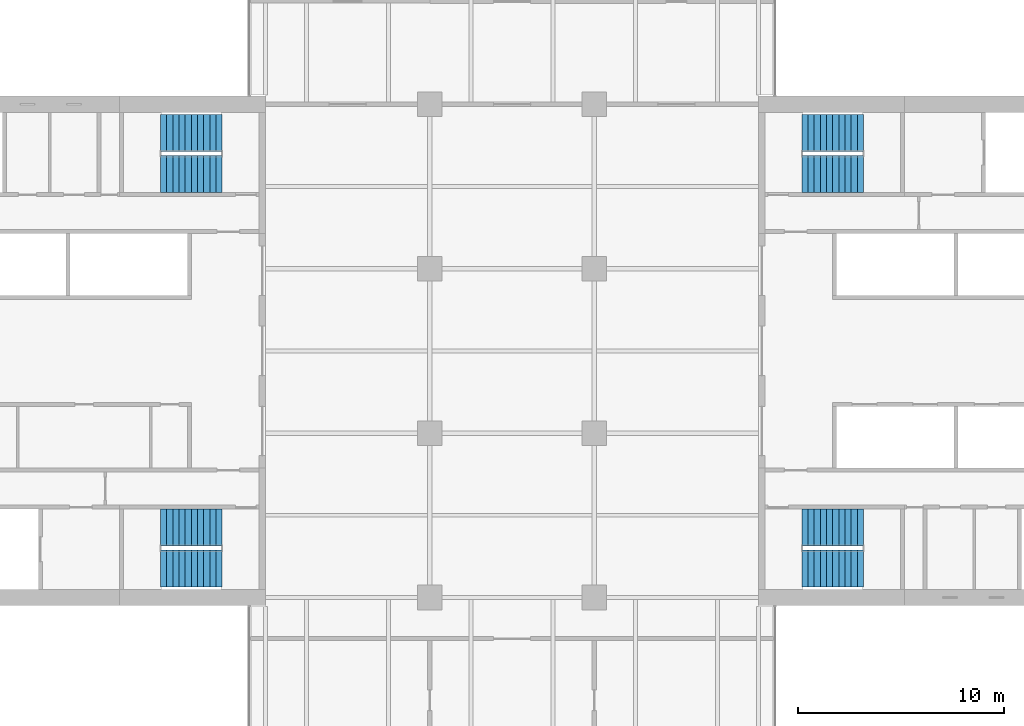
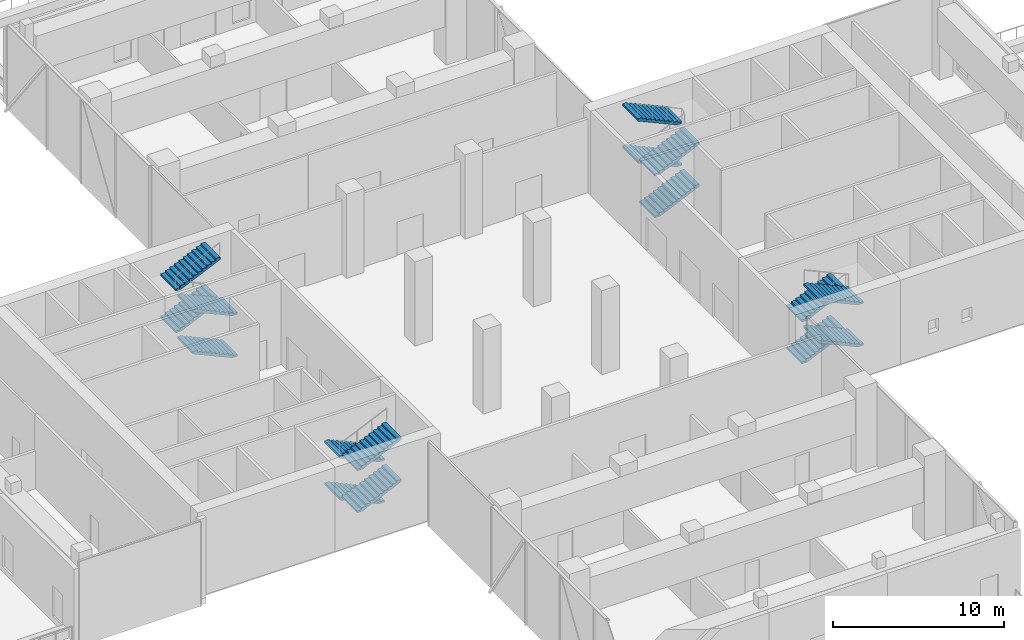
# One storey, part 19 of 23: 16 stair flights, 4 elements without a shape of their own.
"""IFC4 building model written with IfcOpenShell, lengths in metres."""

from ifc_helpers import new_model, si_unit, direction, frame, origin, place, context, subcontext, project, spatial, polyline, outline, extrude, material, type_object, element, aggregate, save


model = new_model("IFC4")

# Units and contexts
model_context = context("Model", 3, precision=1e-05, world=origin(), true_north=direction((0.0, 1.0)))
body_context = subcontext(model_context, "Body", "Model", "MODEL_VIEW")
ifc_project = project(units=[si_unit("LENGTHUNIT", "METRE"), si_unit("AREAUNIT", "SQUARE_METRE"), si_unit("VOLUMEUNIT", "CUBIC_METRE"), si_unit("PLANEANGLEUNIT", "RADIAN"), si_unit("MASSUNIT", "GRAM", prefix="KILO")], contexts=[model_context])

# Site, building, storey
site_placement = place(None, origin())
site = spatial("IfcSite", under=ifc_project, at=site_placement, CompositionType="ELEMENT")
building_placement = place(site_placement, origin())
building = spatial("IfcBuilding", under=site, at=building_placement, Name="Crosswind Convention Tower", CompositionType="ELEMENT")
storey_placement = place(building_placement, frame((0.0, 0.0, 47.5)))
storey = spatial("IfcBuildingStorey", under=building, at=storey_placement, Name="L06", CompositionType="ELEMENT", Elevation=47.5)

# Stair, stair flights
ifc_material = material(Name="Concrete C40/50", Category="concrete")
stair_type = type_object("IfcStairType", Name="Exit stair 1800 wide, 4 flights of 11 risers", PredefinedType="HALF_TURN_STAIR", material=ifc_material)
stair_1_placement = place(storey_placement, origin())
stair_1 = element("IfcStair", 1, at=stair_1_placement, inside=storey, type_object=stair_type, Name="Exit stair ST1 L06", ObjectType="ST6", PredefinedType="HALF_TURN_STAIR")
stair_flight_type = type_object("IfcStairFlightType", Name="Stair flight 1800 wide, 11 risers (SF1)", PredefinedType="STRAIGHT", material=ifc_material)
stair_flight_1_placement = place(storey_placement, frame((139.10009765625, 108.60009765625, 0.0), z_axis=(0.0, 0.0, 1.0), x_axis=(1.0, 0.0, 0.0)))
stair_flight_1 = element("IfcStairFlight", 2, at=stair_flight_1_placement, type_object=stair_flight_type, Name="ST1 flight 1", NumberOfRisers=11, NumberOfTreads=10, PredefinedType="STRAIGHT", RiserHeight=0.136363636, TreadLength=0.3, context=body_context, shape_type="SweptSolid", body=[
    extrude(outline(polyline([(0.0, 0.0), (0.0, 0.136474609375), (0.300048828125, 0.136474609375), (0.300048828125, 0.272705078125), (0.60009765625, 0.272705078125), (0.60009765625, 0.4091796875), (0.89990234375, 0.4091796875), (0.89990234375, 0.54541015625), (1.199951171875, 0.54541015625), (1.199951171875, 0.681884765625), (1.5, 0.681884765625), (1.5, 0.818115234375), (1.800048828125, 0.818115234375), (1.800048828125, 0.95458984375), (2.10009765625, 0.95458984375), (2.10009765625, 1.0908203125), (2.39990234375, 1.0908203125), (2.39990234375, 1.227294921875), (2.699951171875, 1.227294921875), (2.699951171875, 1.363525390625), (3.0, 1.363525390625), (3.0, 1.5), (3.0, 1.198974609375), (0.3623046875, 0.0), (0.0, 0.0)])), frame((0.0, 0.89990234375, 0.0), z_axis=(0.0, -1.0, 0.0), x_axis=(1.0, 0.0, 0.0)), (0.0, 0.0, 1.0), 1.800048828125),
])
stair_flight_2_placement = place(storey_placement, frame((142.10009765625, 110.60009765625, 1.5), z_axis=(0.0, 0.0, 1.0), x_axis=(-1.0, 0.0, 0.0)))
stair_flight_2 = element("IfcStairFlight", 3, at=stair_flight_2_placement, type_object=stair_flight_type, Name="ST1 flight 2", NumberOfRisers=11, NumberOfTreads=10, PredefinedType="STRAIGHT", RiserHeight=0.136363636, TreadLength=0.3, context=body_context, shape_type="SweptSolid", body=[
    extrude(outline(polyline([(0.0, 0.0), (0.0, 0.136474609375), (0.300048828125, 0.136474609375), (0.300048828125, 0.272705078125), (0.60009765625, 0.272705078125), (0.60009765625, 0.4091796875), (0.89990234375, 0.4091796875), (0.89990234375, 0.54541015625), (1.199951171875, 0.54541015625), (1.199951171875, 0.681884765625), (1.5, 0.681884765625), (1.5, 0.818115234375), (1.800048828125, 0.818115234375), (1.800048828125, 0.95458984375), (2.10009765625, 0.95458984375), (2.10009765625, 1.0908203125), (2.39990234375, 1.0908203125), (2.39990234375, 1.227294921875), (2.699951171875, 1.227294921875), (2.699951171875, 1.363525390625), (3.0, 1.363525390625), (3.0, 1.5), (3.0, 1.198974609375), (0.3623046875, 0.0), (0.0, 0.0)])), frame((0.0, 0.89990234375, 0.0), z_axis=(0.0, -1.0, 0.0), x_axis=(1.0, 0.0, 0.0)), (0.0, 0.0, 1.0), 1.800048828125),
])
stair_flight_3_placement = place(storey_placement, frame((139.10009765625, 108.60009765625, 3.0), z_axis=(0.0, 0.0, 1.0), x_axis=(1.0, 0.0, 0.0)))
stair_flight_3 = element("IfcStairFlight", 4, at=stair_flight_3_placement, type_object=stair_flight_type, Name="ST1 flight 3", NumberOfRisers=11, NumberOfTreads=10, PredefinedType="STRAIGHT", RiserHeight=0.136363636, TreadLength=0.3, context=body_context, shape_type="SweptSolid", body=[
    extrude(outline(polyline([(0.0, 0.0), (0.0, 0.136474609375), (0.300048828125, 0.136474609375), (0.300048828125, 0.272705078125), (0.60009765625, 0.272705078125), (0.60009765625, 0.4091796875), (0.89990234375, 0.4091796875), (0.89990234375, 0.54541015625), (1.199951171875, 0.54541015625), (1.199951171875, 0.681884765625), (1.5, 0.681884765625), (1.5, 0.818115234375), (1.800048828125, 0.818115234375), (1.800048828125, 0.95458984375), (2.10009765625, 0.95458984375), (2.10009765625, 1.0908203125), (2.39990234375, 1.0908203125), (2.39990234375, 1.227294921875), (2.699951171875, 1.227294921875), (2.699951171875, 1.363525390625), (3.0, 1.363525390625), (3.0, 1.5), (3.0, 1.198974609375), (0.3623046875, 0.0), (0.0, 0.0)])), frame((0.0, 0.89990234375, 0.0), z_axis=(0.0, -1.0, 0.0), x_axis=(1.0, 0.0, 0.0)), (0.0, 0.0, 1.0), 1.800048828125),
])
stair_flight_4_placement = place(storey_placement, frame((142.10009765625, 110.60009765625, 4.5), z_axis=(0.0, 0.0, 1.0), x_axis=(-1.0, 0.0, 0.0)))
stair_flight_4 = element("IfcStairFlight", 5, at=stair_flight_4_placement, type_object=stair_flight_type, Name="ST1 flight 4", NumberOfRisers=11, NumberOfTreads=10, PredefinedType="STRAIGHT", RiserHeight=0.136363636, TreadLength=0.3, context=body_context, shape_type="SweptSolid", body=[
    extrude(outline(polyline([(0.0, 0.0), (0.0, 0.136474609375), (0.300048828125, 0.136474609375), (0.300048828125, 0.272705078125), (0.60009765625, 0.272705078125), (0.60009765625, 0.4091796875), (0.89990234375, 0.4091796875), (0.89990234375, 0.54541015625), (1.199951171875, 0.54541015625), (1.199951171875, 0.681884765625), (1.5, 0.681884765625), (1.5, 0.818115234375), (1.800048828125, 0.818115234375), (1.800048828125, 0.95458984375), (2.10009765625, 0.95458984375), (2.10009765625, 1.0908203125), (2.39990234375, 1.0908203125), (2.39990234375, 1.227294921875), (2.699951171875, 1.227294921875), (2.699951171875, 1.363525390625), (3.0, 1.363525390625), (3.0, 1.5), (3.0, 1.198974609375), (0.3623046875, 0.0), (0.0, 0.0)])), frame((0.0, 0.89990234375, 0.0), z_axis=(0.0, -1.0, 0.0), x_axis=(1.0, 0.0, 0.0)), (0.0, 0.0, 1.0), 1.800048828125),
])
aggregate(stair_1, [stair_flight_1, stair_flight_2, stair_flight_3, stair_flight_4])

stair_2_placement = place(storey_placement, origin())
stair_2 = element("IfcStair", 6, at=stair_2_placement, inside=storey, type_object=stair_type, Name="Exit stair ST2 L06", ObjectType="ST6", PredefinedType="HALF_TURN_STAIR")
stair_flight_5_placement = place(storey_placement, frame((139.10009765625, 91.39990234375, 0.0), z_axis=(0.0, 0.0, 1.0), x_axis=(1.0, 0.0, 0.0)))
stair_flight_5 = element("IfcStairFlight", 7, at=stair_flight_5_placement, type_object=stair_flight_type, Name="ST2 flight 1", NumberOfRisers=11, NumberOfTreads=10, PredefinedType="STRAIGHT", RiserHeight=0.136363636, TreadLength=0.3, context=body_context, shape_type="SweptSolid", body=[
    extrude(outline(polyline([(0.0, 0.0), (0.0, 0.136474609375), (0.300048828125, 0.136474609375), (0.300048828125, 0.272705078125), (0.60009765625, 0.272705078125), (0.60009765625, 0.4091796875), (0.89990234375, 0.4091796875), (0.89990234375, 0.54541015625), (1.199951171875, 0.54541015625), (1.199951171875, 0.681884765625), (1.5, 0.681884765625), (1.5, 0.818115234375), (1.800048828125, 0.818115234375), (1.800048828125, 0.95458984375), (2.10009765625, 0.95458984375), (2.10009765625, 1.0908203125), (2.39990234375, 1.0908203125), (2.39990234375, 1.227294921875), (2.699951171875, 1.227294921875), (2.699951171875, 1.363525390625), (3.0, 1.363525390625), (3.0, 1.5), (3.0, 1.198974609375), (0.3623046875, 0.0), (0.0, 0.0)])), frame((0.0, 0.89990234375, 0.0), z_axis=(0.0, -1.0, 0.0), x_axis=(1.0, 0.0, 0.0)), (0.0, 0.0, 1.0), 1.800048828125),
])
stair_flight_6_placement = place(storey_placement, frame((142.10009765625, 89.39990234375, 1.5), z_axis=(0.0, 0.0, 1.0), x_axis=(-1.0, 0.0, 0.0)))
stair_flight_6 = element("IfcStairFlight", 8, at=stair_flight_6_placement, type_object=stair_flight_type, Name="ST2 flight 2", NumberOfRisers=11, NumberOfTreads=10, PredefinedType="STRAIGHT", RiserHeight=0.136363636, TreadLength=0.3, context=body_context, shape_type="SweptSolid", body=[
    extrude(outline(polyline([(0.0, 0.0), (0.0, 0.136474609375), (0.300048828125, 0.136474609375), (0.300048828125, 0.272705078125), (0.60009765625, 0.272705078125), (0.60009765625, 0.4091796875), (0.89990234375, 0.4091796875), (0.89990234375, 0.54541015625), (1.199951171875, 0.54541015625), (1.199951171875, 0.681884765625), (1.5, 0.681884765625), (1.5, 0.818115234375), (1.800048828125, 0.818115234375), (1.800048828125, 0.95458984375), (2.10009765625, 0.95458984375), (2.10009765625, 1.0908203125), (2.39990234375, 1.0908203125), (2.39990234375, 1.227294921875), (2.699951171875, 1.227294921875), (2.699951171875, 1.363525390625), (3.0, 1.363525390625), (3.0, 1.5), (3.0, 1.198974609375), (0.3623046875, 0.0), (0.0, 0.0)])), frame((0.0, 0.89990234375, 0.0), z_axis=(0.0, -1.0, 0.0), x_axis=(1.0, 0.0, 0.0)), (0.0, 0.0, 1.0), 1.800048828125),
])
stair_flight_7_placement = place(storey_placement, frame((139.10009765625, 91.39990234375, 3.0), z_axis=(0.0, 0.0, 1.0), x_axis=(1.0, 0.0, 0.0)))
stair_flight_7 = element("IfcStairFlight", 9, at=stair_flight_7_placement, type_object=stair_flight_type, Name="ST2 flight 3", NumberOfRisers=11, NumberOfTreads=10, PredefinedType="STRAIGHT", RiserHeight=0.136363636, TreadLength=0.3, context=body_context, shape_type="SweptSolid", body=[
    extrude(outline(polyline([(0.0, 0.0), (0.0, 0.136474609375), (0.300048828125, 0.136474609375), (0.300048828125, 0.272705078125), (0.60009765625, 0.272705078125), (0.60009765625, 0.4091796875), (0.89990234375, 0.4091796875), (0.89990234375, 0.54541015625), (1.199951171875, 0.54541015625), (1.199951171875, 0.681884765625), (1.5, 0.681884765625), (1.5, 0.818115234375), (1.800048828125, 0.818115234375), (1.800048828125, 0.95458984375), (2.10009765625, 0.95458984375), (2.10009765625, 1.0908203125), (2.39990234375, 1.0908203125), (2.39990234375, 1.227294921875), (2.699951171875, 1.227294921875), (2.699951171875, 1.363525390625), (3.0, 1.363525390625), (3.0, 1.5), (3.0, 1.198974609375), (0.3623046875, 0.0), (0.0, 0.0)])), frame((0.0, 0.89990234375, 0.0), z_axis=(0.0, -1.0, 0.0), x_axis=(1.0, 0.0, 0.0)), (0.0, 0.0, 1.0), 1.800048828125),
])
stair_flight_8_placement = place(storey_placement, frame((142.10009765625, 89.39990234375, 4.5), z_axis=(0.0, 0.0, 1.0), x_axis=(-1.0, 0.0, 0.0)))
stair_flight_8 = element("IfcStairFlight", 10, at=stair_flight_8_placement, type_object=stair_flight_type, Name="ST2 flight 4", NumberOfRisers=11, NumberOfTreads=10, PredefinedType="STRAIGHT", RiserHeight=0.136363636, TreadLength=0.3, context=body_context, shape_type="SweptSolid", body=[
    extrude(outline(polyline([(0.0, 0.0), (0.0, 0.136474609375), (0.300048828125, 0.136474609375), (0.300048828125, 0.272705078125), (0.60009765625, 0.272705078125), (0.60009765625, 0.4091796875), (0.89990234375, 0.4091796875), (0.89990234375, 0.54541015625), (1.199951171875, 0.54541015625), (1.199951171875, 0.681884765625), (1.5, 0.681884765625), (1.5, 0.818115234375), (1.800048828125, 0.818115234375), (1.800048828125, 0.95458984375), (2.10009765625, 0.95458984375), (2.10009765625, 1.0908203125), (2.39990234375, 1.0908203125), (2.39990234375, 1.227294921875), (2.699951171875, 1.227294921875), (2.699951171875, 1.363525390625), (3.0, 1.363525390625), (3.0, 1.5), (3.0, 1.198974609375), (0.3623046875, 0.0), (0.0, 0.0)])), frame((0.0, 0.89990234375, 0.0), z_axis=(0.0, -1.0, 0.0), x_axis=(1.0, 0.0, 0.0)), (0.0, 0.0, 1.0), 1.800048828125),
])
aggregate(stair_2, [stair_flight_5, stair_flight_6, stair_flight_7, stair_flight_8])

stair_3_placement = place(storey_placement, origin())
stair_3 = element("IfcStair", 11, at=stair_3_placement, inside=storey, type_object=stair_type, Name="Exit stair ST3 L06", ObjectType="ST6", PredefinedType="HALF_TURN_STAIR")
stair_flight_9_placement = place(storey_placement, frame((110.89990234375, 91.39990234375, 0.0), z_axis=(0.0, 0.0, 1.0), x_axis=(-1.0, 0.0, 0.0)))
stair_flight_9 = element("IfcStairFlight", 12, at=stair_flight_9_placement, type_object=stair_flight_type, Name="ST3 flight 1", NumberOfRisers=11, NumberOfTreads=10, PredefinedType="STRAIGHT", RiserHeight=0.136363636, TreadLength=0.3, context=body_context, shape_type="SweptSolid", body=[
    extrude(outline(polyline([(0.0, 0.0), (0.0, 0.136474609375), (0.300048828125, 0.136474609375), (0.300048828125, 0.272705078125), (0.60009765625, 0.272705078125), (0.60009765625, 0.4091796875), (0.89990234375, 0.4091796875), (0.89990234375, 0.54541015625), (1.199951171875, 0.54541015625), (1.199951171875, 0.681884765625), (1.5, 0.681884765625), (1.5, 0.818115234375), (1.800048828125, 0.818115234375), (1.800048828125, 0.95458984375), (2.10009765625, 0.95458984375), (2.10009765625, 1.0908203125), (2.39990234375, 1.0908203125), (2.39990234375, 1.227294921875), (2.699951171875, 1.227294921875), (2.699951171875, 1.363525390625), (3.0, 1.363525390625), (3.0, 1.5), (3.0, 1.198974609375), (0.3623046875, 0.0), (0.0, 0.0)])), frame((0.0, 0.89990234375, 0.0), z_axis=(0.0, -1.0, 0.0), x_axis=(1.0, 0.0, 0.0)), (0.0, 0.0, 1.0), 1.800048828125),
])
stair_flight_10_placement = place(storey_placement, frame((107.89990234375, 89.39990234375, 1.5), z_axis=(0.0, 0.0, 1.0), x_axis=(1.0, 0.0, 0.0)))
stair_flight_10 = element("IfcStairFlight", 13, at=stair_flight_10_placement, type_object=stair_flight_type, Name="ST3 flight 2", NumberOfRisers=11, NumberOfTreads=10, PredefinedType="STRAIGHT", RiserHeight=0.136363636, TreadLength=0.3, context=body_context, shape_type="SweptSolid", body=[
    extrude(outline(polyline([(0.0, 0.0), (0.0, 0.136474609375), (0.300048828125, 0.136474609375), (0.300048828125, 0.272705078125), (0.60009765625, 0.272705078125), (0.60009765625, 0.4091796875), (0.89990234375, 0.4091796875), (0.89990234375, 0.54541015625), (1.199951171875, 0.54541015625), (1.199951171875, 0.681884765625), (1.5, 0.681884765625), (1.5, 0.818115234375), (1.800048828125, 0.818115234375), (1.800048828125, 0.95458984375), (2.10009765625, 0.95458984375), (2.10009765625, 1.0908203125), (2.39990234375, 1.0908203125), (2.39990234375, 1.227294921875), (2.699951171875, 1.227294921875), (2.699951171875, 1.363525390625), (3.0, 1.363525390625), (3.0, 1.5), (3.0, 1.198974609375), (0.3623046875, 0.0), (0.0, 0.0)])), frame((0.0, 0.89990234375, 0.0), z_axis=(0.0, -1.0, 0.0), x_axis=(1.0, 0.0, 0.0)), (0.0, 0.0, 1.0), 1.800048828125),
])
stair_flight_11_placement = place(storey_placement, frame((110.89990234375, 91.39990234375, 3.0), z_axis=(0.0, 0.0, 1.0), x_axis=(-1.0, 0.0, 0.0)))
stair_flight_11 = element("IfcStairFlight", 14, at=stair_flight_11_placement, type_object=stair_flight_type, Name="ST3 flight 3", NumberOfRisers=11, NumberOfTreads=10, PredefinedType="STRAIGHT", RiserHeight=0.136363636, TreadLength=0.3, context=body_context, shape_type="SweptSolid", body=[
    extrude(outline(polyline([(0.0, 0.0), (0.0, 0.136474609375), (0.300048828125, 0.136474609375), (0.300048828125, 0.272705078125), (0.60009765625, 0.272705078125), (0.60009765625, 0.4091796875), (0.89990234375, 0.4091796875), (0.89990234375, 0.54541015625), (1.199951171875, 0.54541015625), (1.199951171875, 0.681884765625), (1.5, 0.681884765625), (1.5, 0.818115234375), (1.800048828125, 0.818115234375), (1.800048828125, 0.95458984375), (2.10009765625, 0.95458984375), (2.10009765625, 1.0908203125), (2.39990234375, 1.0908203125), (2.39990234375, 1.227294921875), (2.699951171875, 1.227294921875), (2.699951171875, 1.363525390625), (3.0, 1.363525390625), (3.0, 1.5), (3.0, 1.198974609375), (0.3623046875, 0.0), (0.0, 0.0)])), frame((0.0, 0.89990234375, 0.0), z_axis=(0.0, -1.0, 0.0), x_axis=(1.0, 0.0, 0.0)), (0.0, 0.0, 1.0), 1.800048828125),
])
stair_flight_12_placement = place(storey_placement, frame((107.89990234375, 89.39990234375, 4.5), z_axis=(0.0, 0.0, 1.0), x_axis=(1.0, 0.0, 0.0)))
stair_flight_12 = element("IfcStairFlight", 15, at=stair_flight_12_placement, type_object=stair_flight_type, Name="ST3 flight 4", NumberOfRisers=11, NumberOfTreads=10, PredefinedType="STRAIGHT", RiserHeight=0.136363636, TreadLength=0.3, context=body_context, shape_type="SweptSolid", body=[
    extrude(outline(polyline([(0.0, 0.0), (0.0, 0.136474609375), (0.300048828125, 0.136474609375), (0.300048828125, 0.272705078125), (0.60009765625, 0.272705078125), (0.60009765625, 0.4091796875), (0.89990234375, 0.4091796875), (0.89990234375, 0.54541015625), (1.199951171875, 0.54541015625), (1.199951171875, 0.681884765625), (1.5, 0.681884765625), (1.5, 0.818115234375), (1.800048828125, 0.818115234375), (1.800048828125, 0.95458984375), (2.10009765625, 0.95458984375), (2.10009765625, 1.0908203125), (2.39990234375, 1.0908203125), (2.39990234375, 1.227294921875), (2.699951171875, 1.227294921875), (2.699951171875, 1.363525390625), (3.0, 1.363525390625), (3.0, 1.5), (3.0, 1.198974609375), (0.3623046875, 0.0), (0.0, 0.0)])), frame((0.0, 0.89990234375, 0.0), z_axis=(0.0, -1.0, 0.0), x_axis=(1.0, 0.0, 0.0)), (0.0, 0.0, 1.0), 1.800048828125),
])
aggregate(stair_3, [stair_flight_9, stair_flight_10, stair_flight_11, stair_flight_12])

stair_4_placement = place(storey_placement, origin())
stair_4 = element("IfcStair", 16, at=stair_4_placement, inside=storey, type_object=stair_type, Name="Exit stair ST4 L06", ObjectType="ST6", PredefinedType="HALF_TURN_STAIR")
stair_flight_13_placement = place(storey_placement, frame((110.89990234375, 108.60009765625, 0.0), z_axis=(0.0, 0.0, 1.0), x_axis=(-1.0, 0.0, 0.0)))
stair_flight_13 = element("IfcStairFlight", 17, at=stair_flight_13_placement, type_object=stair_flight_type, Name="ST4 flight 1", NumberOfRisers=11, NumberOfTreads=10, PredefinedType="STRAIGHT", RiserHeight=0.136363636, TreadLength=0.3, context=body_context, shape_type="SweptSolid", body=[
    extrude(outline(polyline([(0.0, 0.0), (0.0, 0.136474609375), (0.300048828125, 0.136474609375), (0.300048828125, 0.272705078125), (0.60009765625, 0.272705078125), (0.60009765625, 0.4091796875), (0.89990234375, 0.4091796875), (0.89990234375, 0.54541015625), (1.199951171875, 0.54541015625), (1.199951171875, 0.681884765625), (1.5, 0.681884765625), (1.5, 0.818115234375), (1.800048828125, 0.818115234375), (1.800048828125, 0.95458984375), (2.10009765625, 0.95458984375), (2.10009765625, 1.0908203125), (2.39990234375, 1.0908203125), (2.39990234375, 1.227294921875), (2.699951171875, 1.227294921875), (2.699951171875, 1.363525390625), (3.0, 1.363525390625), (3.0, 1.5), (3.0, 1.198974609375), (0.3623046875, 0.0), (0.0, 0.0)])), frame((0.0, 0.89990234375, 0.0), z_axis=(0.0, -1.0, 0.0), x_axis=(1.0, 0.0, 0.0)), (0.0, 0.0, 1.0), 1.800048828125),
])
stair_flight_14_placement = place(storey_placement, frame((107.89990234375, 110.60009765625, 1.5), z_axis=(0.0, 0.0, 1.0), x_axis=(1.0, 0.0, 0.0)))
stair_flight_14 = element("IfcStairFlight", 18, at=stair_flight_14_placement, type_object=stair_flight_type, Name="ST4 flight 2", NumberOfRisers=11, NumberOfTreads=10, PredefinedType="STRAIGHT", RiserHeight=0.136363636, TreadLength=0.3, context=body_context, shape_type="SweptSolid", body=[
    extrude(outline(polyline([(0.0, 0.0), (0.0, 0.136474609375), (0.300048828125, 0.136474609375), (0.300048828125, 0.272705078125), (0.60009765625, 0.272705078125), (0.60009765625, 0.4091796875), (0.89990234375, 0.4091796875), (0.89990234375, 0.54541015625), (1.199951171875, 0.54541015625), (1.199951171875, 0.681884765625), (1.5, 0.681884765625), (1.5, 0.818115234375), (1.800048828125, 0.818115234375), (1.800048828125, 0.95458984375), (2.10009765625, 0.95458984375), (2.10009765625, 1.0908203125), (2.39990234375, 1.0908203125), (2.39990234375, 1.227294921875), (2.699951171875, 1.227294921875), (2.699951171875, 1.363525390625), (3.0, 1.363525390625), (3.0, 1.5), (3.0, 1.198974609375), (0.3623046875, 0.0), (0.0, 0.0)])), frame((0.0, 0.89990234375, 0.0), z_axis=(0.0, -1.0, 0.0), x_axis=(1.0, 0.0, 0.0)), (0.0, 0.0, 1.0), 1.800048828125),
])
stair_flight_15_placement = place(storey_placement, frame((110.89990234375, 108.60009765625, 3.0), z_axis=(0.0, 0.0, 1.0), x_axis=(-1.0, 0.0, 0.0)))
stair_flight_15 = element("IfcStairFlight", 19, at=stair_flight_15_placement, type_object=stair_flight_type, Name="ST4 flight 3", NumberOfRisers=11, NumberOfTreads=10, PredefinedType="STRAIGHT", RiserHeight=0.136363636, TreadLength=0.3, context=body_context, shape_type="SweptSolid", body=[
    extrude(outline(polyline([(0.0, 0.0), (0.0, 0.136474609375), (0.300048828125, 0.136474609375), (0.300048828125, 0.272705078125), (0.60009765625, 0.272705078125), (0.60009765625, 0.4091796875), (0.89990234375, 0.4091796875), (0.89990234375, 0.54541015625), (1.199951171875, 0.54541015625), (1.199951171875, 0.681884765625), (1.5, 0.681884765625), (1.5, 0.818115234375), (1.800048828125, 0.818115234375), (1.800048828125, 0.95458984375), (2.10009765625, 0.95458984375), (2.10009765625, 1.0908203125), (2.39990234375, 1.0908203125), (2.39990234375, 1.227294921875), (2.699951171875, 1.227294921875), (2.699951171875, 1.363525390625), (3.0, 1.363525390625), (3.0, 1.5), (3.0, 1.198974609375), (0.3623046875, 0.0), (0.0, 0.0)])), frame((0.0, 0.89990234375, 0.0), z_axis=(0.0, -1.0, 0.0), x_axis=(1.0, 0.0, 0.0)), (0.0, 0.0, 1.0), 1.800048828125),
])
stair_flight_16_placement = place(storey_placement, frame((107.89990234375, 110.60009765625, 4.5), z_axis=(0.0, 0.0, 1.0), x_axis=(1.0, 0.0, 0.0)))
stair_flight_16 = element("IfcStairFlight", 20, at=stair_flight_16_placement, type_object=stair_flight_type, Name="ST4 flight 4", NumberOfRisers=11, NumberOfTreads=10, PredefinedType="STRAIGHT", RiserHeight=0.136363636, TreadLength=0.3, context=body_context, shape_type="SweptSolid", body=[
    extrude(outline(polyline([(0.0, 0.0), (0.0, 0.136474609375), (0.300048828125, 0.136474609375), (0.300048828125, 0.272705078125), (0.60009765625, 0.272705078125), (0.60009765625, 0.4091796875), (0.89990234375, 0.4091796875), (0.89990234375, 0.54541015625), (1.199951171875, 0.54541015625), (1.199951171875, 0.681884765625), (1.5, 0.681884765625), (1.5, 0.818115234375), (1.800048828125, 0.818115234375), (1.800048828125, 0.95458984375), (2.10009765625, 0.95458984375), (2.10009765625, 1.0908203125), (2.39990234375, 1.0908203125), (2.39990234375, 1.227294921875), (2.699951171875, 1.227294921875), (2.699951171875, 1.363525390625), (3.0, 1.363525390625), (3.0, 1.5), (3.0, 1.198974609375), (0.3623046875, 0.0), (0.0, 0.0)])), frame((0.0, 0.89990234375, 0.0), z_axis=(0.0, -1.0, 0.0), x_axis=(1.0, 0.0, 0.0)), (0.0, 0.0, 1.0), 1.800048828125),
])
aggregate(stair_4, [stair_flight_13, stair_flight_14, stair_flight_15, stair_flight_16])

save(model, "model.ifc")
